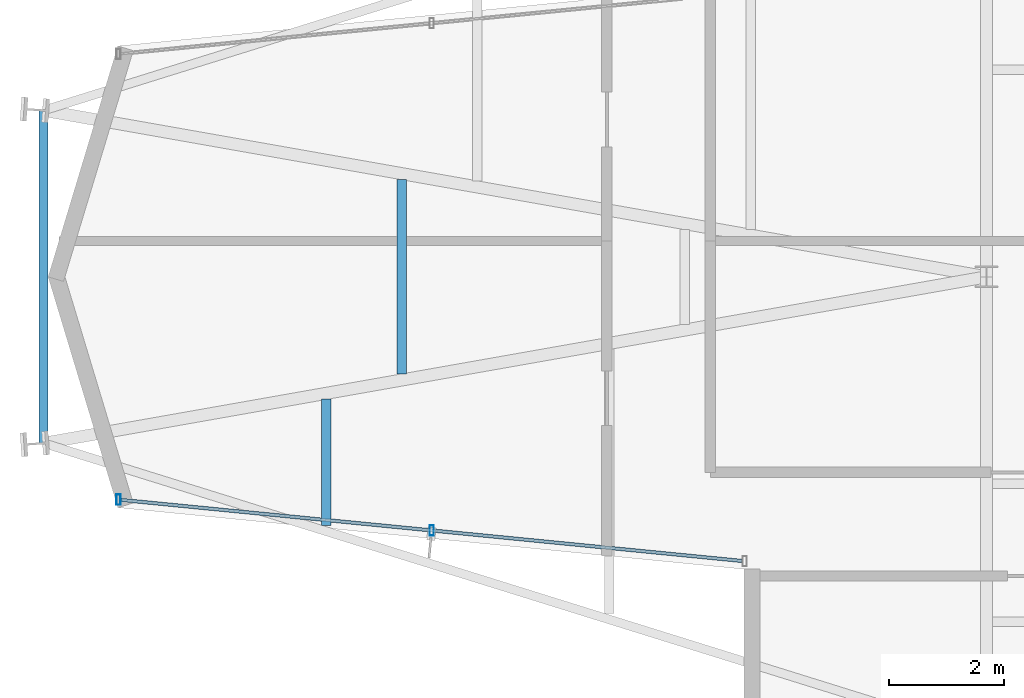
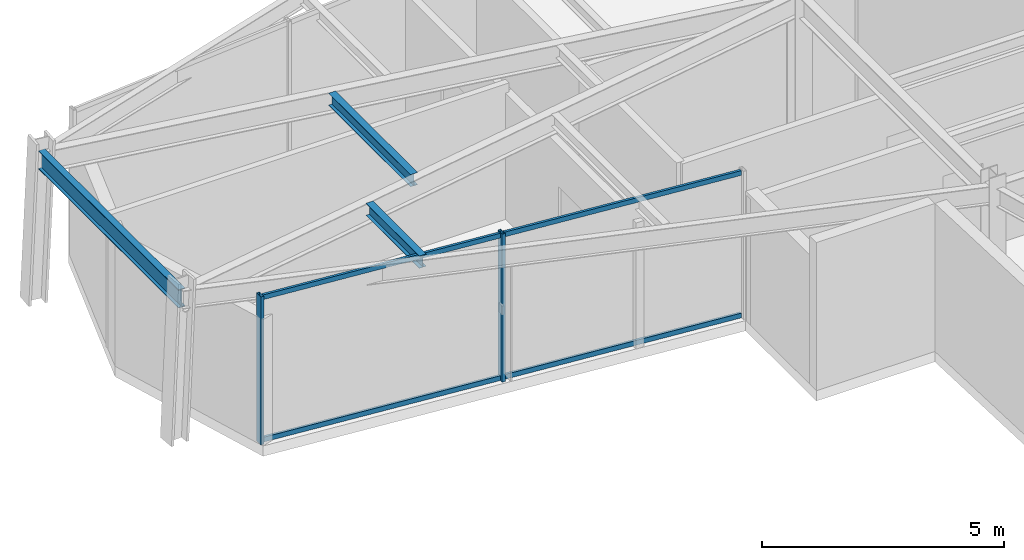
# One storey, part 2 of 23: 4 members, 3 beams, 1 element without a shape of its own.
"""IFC4 building model written with IfcOpenShell, lengths in metres."""

import ifcopenshell
import ifcopenshell.guid

model = None  # the IFC model being written
_history = None  # IfcOwnerHistory: only IFC2X3 demands one
_inside = {}  # id of a spatial element -> (the spatial element, [elements in it])
_under = {}  # id of a project, library or spatial element -> (it, [spatial elements below it])
_declared = {}  # id of a project -> (the project, [libraries it declares])
_typed = {}  # id of a type object -> (the type object, [elements of that type])
_made_of = {}  # id of a material, layer set ... -> (it, [elements and type objects made of it])


def new_model(schema):
    """Start an empty IFC model of exactly this schema.

    Asked for "IFC4X3", IfcOpenShell would pick the latest addendum, in which some entities
    have other attributes; the version numbers below select the first issue.
    IFC2X3 requires an IfcOwnerHistory on every rooted entity: one is made here for all.
    """
    global model, _history
    if schema == "IFC4X3":
        model = ifcopenshell.file(schema_version=(4, 3, 0, 0))
    else:
        model = ifcopenshell.file(schema=schema)
    _inside.clear()
    _under.clear()
    _declared.clear()
    _typed.clear()
    _made_of.clear()
    _history = None
    if model.schema == "IFC2X3":
        org = make("IfcOrganization", Name="unknown")
        user = make(
            "IfcPersonAndOrganization",
            ThePerson=make("IfcPerson", FamilyName="unknown"),
            TheOrganization=org,
        )
        app = make(
            "IfcApplication",
            ApplicationDeveloper=org,
            Version="unknown",
            ApplicationFullName="unknown",
            ApplicationIdentifier="unknown",
        )
        _history = make(
            "IfcOwnerHistory",
            OwningUser=user,
            OwningApplication=app,
            ChangeAction="ADDED",
            CreationDate=0,
        )
    return model


def make(cls, **values):
    """One entity of the class cls with the attributes given. An attribute that is None is left unset."""
    return model.create_entity(
        cls, **{name: value for name, value in values.items() if value is not None}
    )


def rooted(cls, **values):
    """An entity with a GlobalId (a new one), such as an element, a storey or a relation."""
    return make(cls, GlobalId=ifcopenshell.guid.new(), OwnerHistory=_history, **values)


def si_unit(unit_type, name, prefix=None):
    """IfcSIUnit, for example si_unit("LENGTHUNIT", "METRE", prefix="MILLI")."""
    return make("IfcSIUnit", UnitType=unit_type, Prefix=prefix, Name=name)


def assignment(units):
    """IfcUnitAssignment: the units of a project."""
    return None if units is None else make("IfcUnitAssignment", Units=units)


def point(xyz):
    """IfcCartesianPoint."""
    return None if xyz is None else make("IfcCartesianPoint", Coordinates=xyz)


def direction(xyz):
    """IfcDirection."""
    return None if xyz is None else make("IfcDirection", DirectionRatios=xyz)


def frame(location, z_axis=None, x_axis=None):
    """IfcAxis2Placement3D, a coordinate frame: its origin and axes. An axis left out is left unset."""
    return make(
        "IfcAxis2Placement3D",
        Location=point(location),
        Axis=direction(z_axis),
        RefDirection=direction(x_axis),
    )


def frame_2d(location, x_axis=None):
    """IfcAxis2Placement2D, a coordinate frame in the plane: its origin and x axis."""
    return make(
        "IfcAxis2Placement2D", Location=point(location), RefDirection=direction(x_axis)
    )


def origin():
    """The frame at (0, 0, 0) with its axes left unset."""
    return frame((0.0, 0.0, 0.0))


def origin_2d():
    """The frame at (0, 0) in the plane with its x axis left unset."""
    return frame_2d((0.0, 0.0))


def place(relative_to, where):
    """IfcLocalPlacement: puts the frame where relative to a parent placement (None: the world)."""
    return make(
        "IfcLocalPlacement", PlacementRelTo=relative_to, RelativePlacement=where
    )


def context(
    kind, dimensions, precision=None, world=None, true_north=None, identifier=None
):
    """IfcGeometricRepresentationContext, for example the 3D "Model" context."""
    return make(
        "IfcGeometricRepresentationContext",
        ContextIdentifier=identifier,
        ContextType=kind,
        CoordinateSpaceDimension=dimensions,
        Precision=precision,
        WorldCoordinateSystem=world,
        TrueNorth=true_north,
    )


def subcontext(parent, identifier, kind, view, scale=None):
    """IfcGeometricRepresentationSubContext, for example "Body" below "Model"."""
    return make(
        "IfcGeometricRepresentationSubContext",
        ContextIdentifier=identifier,
        ContextType=kind,
        ParentContext=parent,
        TargetScale=scale,
        TargetView=view,
    )


def project(units=None, contexts=None):
    """IfcProject with its units and contexts."""
    return rooted(
        "IfcProject",
        Name="project",
        RepresentationContexts=contexts,
        UnitsInContext=assignment(units),
    )


def spatial(cls, under=None, at=None, **own):
    """A site, building, storey or space (cls), placed at a placement, below another one or the project."""
    s = rooted(cls, ObjectPlacement=at, **own)
    if under is not None:
        _under.setdefault(under.id(), (under, []))[1].append(s)
    return s


def profile(cls, at=None, kind="AREA", **sizes):
    """A parametric profile (cls). Its sizes go by their IFC names, for example OverallWidth=200.0."""
    return make(cls, ProfileType=kind, Position=at, **sizes)


def hollow_rectangle(**sizes):
    """IfcRectangleHollowProfileDef."""
    return profile("IfcRectangleHollowProfileDef", **sizes)


def i_section(**sizes):
    """IfcIShapeProfileDef."""
    return profile("IfcIShapeProfileDef", **sizes)


def extrude(swept, where, along, depth):
    """IfcExtrudedAreaSolid: the profile swept, set in the frame where, extruded along a direction by depth."""
    return make(
        "IfcExtrudedAreaSolid",
        SweptArea=swept,
        Position=where,
        ExtrudedDirection=direction(along),
        Depth=depth,
    )


def shape(context_of_items, identifier, shape_type, items):
    """IfcShapeRepresentation: the items that make up one representation, for example the "Body"."""
    return make(
        "IfcShapeRepresentation",
        ContextOfItems=context_of_items,
        RepresentationIdentifier=identifier,
        RepresentationType=shape_type,
        Items=items,
    )


def material(Name=None, Category=None):
    """IfcMaterial."""
    return make("IfcMaterial", Name=Name, Category=Category)


def layer(
    of_material, thickness, ventilated=None, Name=None, Category=None, Priority=None
):
    """IfcMaterialLayer: one layer of a wall or slab, of a material (None: an air gap)."""
    return make(
        "IfcMaterialLayer",
        Material=of_material,
        LayerThickness=thickness,
        IsVentilated=ventilated,
        Name=Name,
        Category=Category,
        Priority=Priority,
    )


def layer_set(layers, Name=None):
    """IfcMaterialLayerSet."""
    return make("IfcMaterialLayerSet", MaterialLayers=layers, LayerSetName=Name)


def material_profile(
    of_material, cross_section, Name=None, Category=None, Priority=None
):
    """IfcMaterialProfile: a cross section and its material."""
    return make(
        "IfcMaterialProfile",
        Name=Name,
        Material=of_material,
        Profile=cross_section,
        Priority=Priority,
        Category=Category,
    )


def profile_set(profiles, Name=None, composite=None):
    """IfcMaterialProfileSet."""
    return make(
        "IfcMaterialProfileSet",
        Name=Name,
        MaterialProfiles=profiles,
        CompositeProfile=composite,
    )


def made_of(thing, what):
    """Note that an element or type object is made of a material, layer set ...; save() writes the relation."""
    if what is not None:
        _made_of.setdefault(what.id(), (what, []))[1].append(thing)
    return thing


def type_object(cls, material=None, **own):
    """A type object (cls), such as IfcWallType, which elements share."""
    return made_of(rooted(cls, **own), material)


def element(
    cls,
    number,
    at=None,
    inside=None,
    cuts=None,
    type_object=None,
    material=None,
    context=None,
    identifier="Body",
    shape_type=None,
    held_by="IfcProductDefinitionShape",
    body=None,
    shapes=None,
    **own,
):
    """One element of the class cls, such as IfcWall. Its Tag is "e" and its number.

    at: its placement. inside: the storey or other place that contains it. cuts: it is an
    opening in that element (IfcRelVoidsElement). A single representation is given by context,
    identifier, shape_type and body (its items); several are given by shapes. held_by: the class
    of the entity that holds the representations. save() writes the other relations.
    """
    e = rooted(cls, Tag="e%d" % number, ObjectPlacement=at, **own)
    if body is not None:
        shapes = [shape(context, identifier, shape_type, body)]
    if shapes is not None:
        e.Representation = make(held_by, Representations=shapes)
    if inside is not None:
        _inside.setdefault(inside.id(), (inside, []))[1].append(e)
    if cuts is not None:
        rooted(
            "IfcRelVoidsElement", RelatingBuildingElement=cuts, RelatedOpeningElement=e
        )
    if type_object is not None:
        _typed.setdefault(type_object.id(), (type_object, []))[1].append(e)
    return made_of(e, material)


def aggregate(whole, parts):
    """IfcRelAggregates: a whole, such as a stair, and the parts it consists of."""
    return rooted("IfcRelAggregates", RelatingObject=whole, RelatedObjects=parts)


def save(model, path):
    """Write the relations noted so far, then the file.

    IfcRelAggregates (storeys below a building ...), IfcRelContainedInSpatialStructure (elements
    in a storey), IfcRelDefinesByType, IfcRelAssociatesMaterial and IfcRelDeclares: one each for
    every whole, place, type object, material and project.
    """
    for whole, parts in _under.values():
        aggregate(whole, parts)
    for where, things in _inside.values():
        rooted(
            "IfcRelContainedInSpatialStructure",
            RelatedElements=things,
            RelatingStructure=where,
        )
    for kind, things in _typed.values():
        rooted("IfcRelDefinesByType", RelatedObjects=things, RelatingType=kind)
    for what, things in _made_of.values():
        rooted("IfcRelAssociatesMaterial", RelatedObjects=things, RelatingMaterial=what)
    for by, libraries in _declared.values():
        rooted("IfcRelDeclares", RelatingContext=by, RelatedDefinitions=libraries)
    model.write(path)


model = new_model("IFC4")

# Units and contexts
model_context = context("Model", 3, precision=1e-05, world=origin(), true_north=direction((0.0, 1.0)))
body_context = subcontext(model_context, "Body", "Model", "MODEL_VIEW")
ifc_project = project(units=[si_unit("LENGTHUNIT", "METRE"), si_unit("AREAUNIT", "SQUARE_METRE"), si_unit("VOLUMEUNIT", "CUBIC_METRE"), si_unit("PLANEANGLEUNIT", "RADIAN"), si_unit("MASSUNIT", "GRAM", prefix="KILO")], contexts=[model_context])

# Site, building, storey
site_placement = place(None, origin())
site = spatial("IfcSite", under=ifc_project, at=site_placement, CompositionType="ELEMENT")
building_placement = place(site_placement, origin())
building = spatial("IfcBuilding", under=site, at=building_placement, Name="Veymaron Broadcast Tower", CompositionType="ELEMENT")
storey_placement = place(building_placement, frame((0.0, 0.0, 252.60009765625)))
storey = spatial("IfcBuildingStorey", under=building, at=storey_placement, Name="L59", CompositionType="ELEMENT", Elevation=252.60009765625)

# Beams
ifc_material_1 = material(Name="Structural steel ASTM A992 Gr 50", Category="steel")
ifc_material_profile_1 = material_profile(ifc_material_1, i_section(OverallWidth=0.1650390625, OverallDepth=0.31005859375, WebThickness=0.005859375, FlangeThickness=0.009765625, at=origin_2d()), Name="W310X39")
ifc_profile_set_1 = profile_set([ifc_material_profile_1], Name="Structural steel ASTM A992 Gr 50")
beam_type_1 = type_object("IfcBeamType", Name="BM-JS3", PredefinedType="JOIST", material=ifc_profile_set_1)
beam_1_placement = place(storey_placement, frame((19.727294921875, 19.675537109375, 3.574951171875), z_axis=(0.0, 1.0, 0.0), x_axis=(-1.0, 0.0, 0.0)))
element("IfcBeam", 1, at=beam_1_placement, inside=storey, type_object=beam_type_1, Name="L59 Arm-A secondary joist 1S", PredefinedType="JOIST", context=body_context, shape_type="SweptSolid", body=[
    extrude(i_section(OverallWidth=0.1650390625, OverallDepth=0.31005859375, WebThickness=0.005859375, FlangeThickness=0.009765625, at=origin_2d()), origin(), (0.0, 0.0, 1.0), 2.199951171875),
])
beam_2_placement = place(storey_placement, frame((21.038330078125, 22.306884765625, 3.574951171875), z_axis=(0.0, 1.0, 0.0), x_axis=(-1.0, 0.0, 0.0)))
element("IfcBeam", 2, at=beam_2_placement, inside=storey, type_object=beam_type_1, Name="L59 Arm-A secondary joist 1M", PredefinedType="JOIST", context=body_context, shape_type="SweptSolid", body=[
    extrude(i_section(OverallWidth=0.1650390625, OverallDepth=0.31005859375, WebThickness=0.005859375, FlangeThickness=0.009765625, at=origin_2d()), origin(), (0.0, 0.0, 1.0), 3.38623046875),
])
ifc_material_profile_2 = material_profile(ifc_material_1, i_section(OverallWidth=0.154052734375, OverallDepth=0.458984375, WebThickness=0.009033203125, FlangeThickness=0.015380859375, at=origin_2d()), Name="W460X68")
ifc_profile_set_2 = profile_set([ifc_material_profile_2], Name="Structural steel ASTM A992 Gr 50")
beam_type_2 = type_object("IfcBeamType", Name="BM-SP2", PredefinedType="SPANDREL", material=ifc_profile_set_2)
beam_3_placement = place(storey_placement, frame((14.810302734375, 21.10791015625, 3.50048828125), z_axis=(0.0, 1.0, 0.0), x_axis=(-1.0, 0.0, 0.0)))
element("IfcBeam", 3, at=beam_3_placement, inside=storey, type_object=beam_type_2, Name="L59 primary structural floor girder", PredefinedType="SPANDREL", context=body_context, shape_type="SweptSolid", body=[
    extrude(i_section(OverallWidth=0.154052734375, OverallDepth=0.458984375, WebThickness=0.009033203125, FlangeThickness=0.015380859375, at=origin_2d()), origin(), (0.0, 0.0, 1.0), 5.7841796875),
])

# Curtain wall, members
ifc_material_2 = material(Name="Anodised aluminium AA 6063-T6 and laminated low-E dark glass", Category="aluminium")
ifc_layer = layer(ifc_material_2, 0.179931640625)
ifc_layer_set = layer_set([ifc_layer], Name="Anodised aluminium AA 6063-T6 and laminated low-E dark glass")
curtain_wall_type = type_object("IfcCurtainWallType", Name="CW-SYS-05", PredefinedType="NOTDEFINED", material=ifc_layer_set)
curtain_wall_placement = place(storey_placement, origin())
curtain_wall = element("IfcCurtainWall", 4, at=curtain_wall_placement, inside=storey, type_object=curtain_wall_type, Name="L59 dark-glass curtain wall CW-L59-E14-1", PredefinedType="NOTDEFINED")
ifc_material_3 = material(Name="Anodised aluminium AA 6063-T6", Category="aluminium")
ifc_material_profile_3 = material_profile(ifc_material_3, hollow_rectangle(XDim=0.074951171875, YDim=0.179931640625, WallThickness=0.0048828125, at=origin_2d()), Name="AL180X75X5")
ifc_profile_set_3 = profile_set([ifc_material_profile_3], Name="Anodised aluminium AA 6063-T6")
member_type_1 = type_object("IfcMemberType", Name="CW-MUL-02", PredefinedType="MULLION", material=ifc_profile_set_3)
member_1_placement = place(storey_placement, frame((16.11376953125, 20.126708984375, 0.0), z_axis=(0.0, 0.0, 1.0), x_axis=(1.0, 0.0, 0.0)))
member_1 = element("IfcMember", 5, at=member_1_placement, type_object=member_type_1, Name="CW-L59-E14-1 mullion 0", PredefinedType="MULLION", context=body_context, shape_type="SweptSolid", body=[
    extrude(hollow_rectangle(XDim=0.074951171875, YDim=0.179931640625, WallThickness=0.0048828125, at=origin_2d()), origin(), (0.0, 0.0, 1.0), 3.72998046875),
])
member_2_placement = place(storey_placement, frame((21.5556640625, 19.59130859375, 0.0), z_axis=(0.0, 0.0, 1.0), x_axis=(1.0, 0.0, 0.0)))
member_2 = element("IfcMember", 6, at=member_2_placement, type_object=member_type_1, Name="CW-L59-E14-1 mullion 1", PredefinedType="MULLION", context=body_context, shape_type="SweptSolid", body=[
    extrude(hollow_rectangle(XDim=0.074951171875, YDim=0.179931640625, WallThickness=0.0048828125, at=origin_2d()), origin(), (0.0, 0.0, 1.0), 3.72998046875),
])
ifc_material_profile_4 = material_profile(ifc_material_3, hollow_rectangle(XDim=0.06005859375, YDim=0.1201171875, WallThickness=0.00390625, at=origin_2d()), Name="AL120X60X4")
ifc_profile_set_4 = profile_set([ifc_material_profile_4], Name="Anodised aluminium AA 6063-T6")
member_type_2 = type_object("IfcMemberType", Name="CW-TRN-02", PredefinedType="USERDEFINED", material=ifc_profile_set_4)
member_3_placement = place(storey_placement, frame((16.16357421875, 20.12158203125, 0.06982421875), z_axis=(0.995199353608, -0.097868516788, 0.0), x_axis=(0.097868516788, 0.995199353608, 0.0)))
member_3 = element("IfcMember", 7, at=member_3_placement, type_object=member_type_2, Name="CW-L59-E14-1 transom B", ObjectType="TRANSOM", PredefinedType="USERDEFINED", context=body_context, shape_type="SweptSolid", body=[
    extrude(hollow_rectangle(XDim=0.06005859375, YDim=0.1201171875, WallThickness=0.00390625, at=origin_2d()), origin(), (0.0, 0.0, 1.0), 10.83642578125),
])
member_4_placement = place(storey_placement, frame((16.16357421875, 20.12158203125, 3.659912109375), z_axis=(0.995199353608, -0.097868516788, 0.0), x_axis=(0.097868516788, 0.995199353608, 0.0)))
member_4 = element("IfcMember", 8, at=member_4_placement, type_object=member_type_2, Name="CW-L59-E14-1 transom T", ObjectType="TRANSOM", PredefinedType="USERDEFINED", context=body_context, shape_type="SweptSolid", body=[
    extrude(hollow_rectangle(XDim=0.06005859375, YDim=0.1201171875, WallThickness=0.00390625, at=origin_2d()), origin(), (0.0, 0.0, 1.0), 10.83642578125),
])
aggregate(curtain_wall, [member_1, member_2, member_3, member_4])

save(model, "model.ifc")
